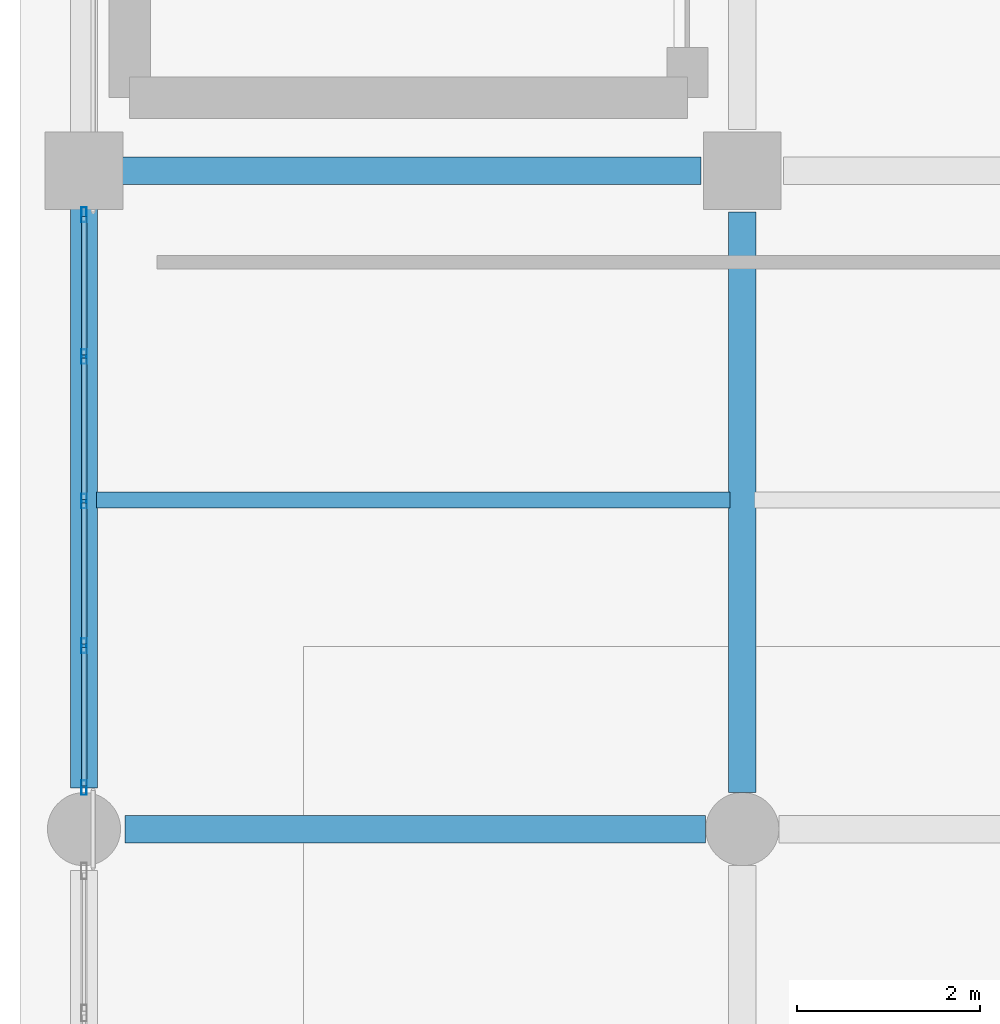
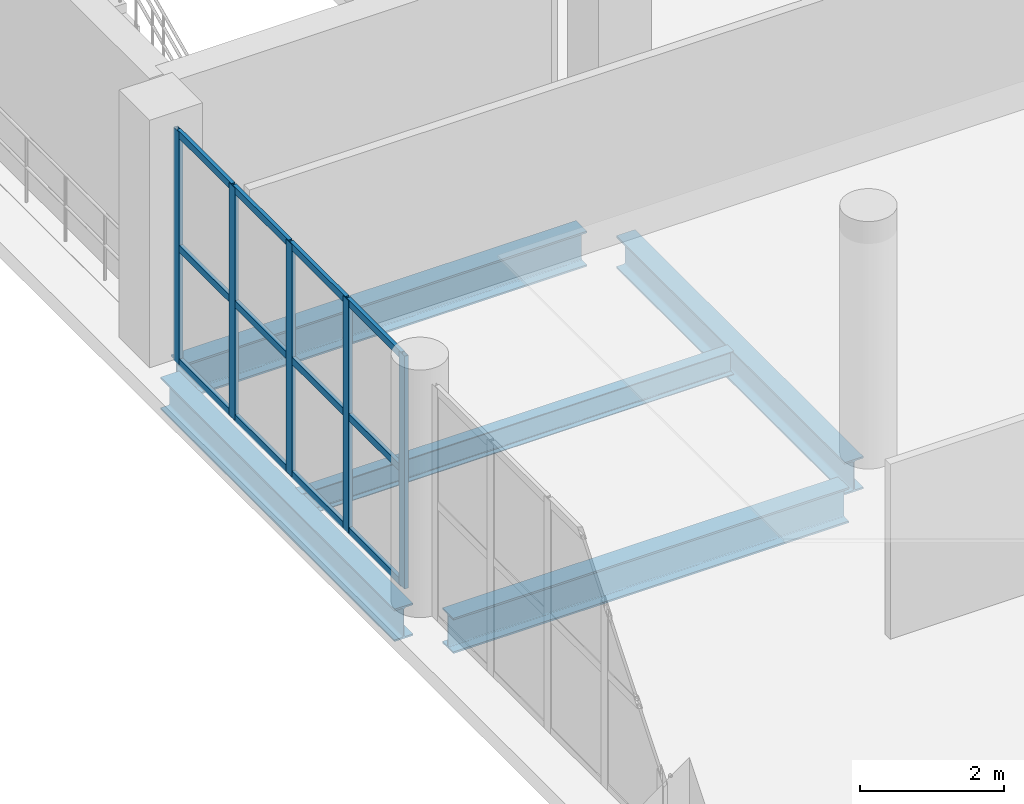
# One storey, part 43 of 153: 17 members, 5 beams, 1 element without a shape of its own.
"""IFC4 building model written with IfcOpenShell, lengths in metres."""

from ifc_helpers import new_model, si_unit, direction, frame, origin, origin_2d, place, context, subcontext, project, spatial, hollow_rectangle, i_section, extrude, material, material_profile, profile_set, type_object, element, aggregate, save


model = new_model("IFC4")

# Units and contexts
model_context = context("Model", 3, precision=1e-05, world=origin(), true_north=direction((0.0, 1.0)))
body_context = subcontext(model_context, "Body", "Model", "MODEL_VIEW")
ifc_project = project(units=[si_unit("LENGTHUNIT", "METRE"), si_unit("AREAUNIT", "SQUARE_METRE"), si_unit("VOLUMEUNIT", "CUBIC_METRE"), si_unit("PLANEANGLEUNIT", "RADIAN"), si_unit("MASSUNIT", "GRAM", prefix="KILO")], contexts=[model_context])

# Site, building, storey
site_placement = place(None, origin())
site = spatial("IfcSite", under=ifc_project, at=site_placement, CompositionType="ELEMENT")
building_placement = place(site_placement, origin())
building = spatial("IfcBuilding", under=site, at=building_placement, Name="Qandorah Velis Arena", CompositionType="ELEMENT")
storey_placement = place(building_placement, frame((0.0, 0.0, 5.39990234375)))
storey = spatial("IfcBuildingStorey", under=building, at=storey_placement, Name="L01", CompositionType="ELEMENT", Elevation=5.39990234375)

# Curtain wall, members
ifc_material_1 = material(Name="Solar-control low-E double glazing", Category="glass")
curtain_wall_type = type_object("IfcCurtainWallType", Name="ARC-CW-SYS07", PredefinedType="USERDEFINED", material=ifc_material_1)
curtain_wall_placement = place(storey_placement, origin())
curtain_wall = element("IfcCurtainWall", 1, at=curtain_wall_placement, inside=storey, type_object=curtain_wall_type, Name="Unitised curtain wall L01-007", ObjectType="UNITISED CURTAIN WALL", PredefinedType="USERDEFINED")
ifc_material_2 = material(Name="Champagne-bronze anodized aluminium 6063-T6", Category="aluminium")
ifc_material_profile_1 = material_profile(ifc_material_2, hollow_rectangle(XDim=0.06005859375, YDim=0.159912109375, WallThickness=0.00341796875, at=origin_2d()), Name="ALU MULLION 60x160")
ifc_profile_set_1 = profile_set([ifc_material_profile_1], Name="Champagne-bronze anodized aluminium 6063-T6")
member_type_1 = type_object("IfcMemberType", Name="ARC-CWM-160", PredefinedType="MULLION", material=ifc_profile_set_1)
member_1_placement = place(storey_placement, frame((0.0, 72.455078125, -0.014892578125), z_axis=(0.0, 0.0, 1.0), x_axis=(-1.0, 0.0, 0.0)))
member_1 = element("IfcMember", 2, at=member_1_placement, type_object=member_type_1, Name="CW07 mullion 1", PredefinedType="MULLION", context=body_context, shape_type="SweptSolid", body=[
    extrude(hollow_rectangle(XDim=0.06005859375, YDim=0.159912109375, WallThickness=0.00341796875, at=origin_2d()), origin(), (0.0, 0.0, 1.0), 3.949951171875),
])
member_2_placement = place(storey_placement, frame((0.0, 74.00634765625, -0.014892578125), z_axis=(0.0, 0.0, 1.0), x_axis=(-1.0, 0.0, 0.0)))
member_2 = element("IfcMember", 3, at=member_2_placement, type_object=member_type_1, Name="CW07 mullion 2", PredefinedType="MULLION", context=body_context, shape_type="SweptSolid", body=[
    extrude(hollow_rectangle(XDim=0.06005859375, YDim=0.159912109375, WallThickness=0.00341796875, at=origin_2d()), origin(), (0.0, 0.0, 1.0), 3.949951171875),
])
member_3_placement = place(storey_placement, frame((0.0, 75.58740234375, -0.014892578125), z_axis=(0.0, 0.0, 1.0), x_axis=(-1.0, 0.0, 0.0)))
member_3 = element("IfcMember", 4, at=member_3_placement, type_object=member_type_1, Name="CW07 mullion 3", PredefinedType="MULLION", context=body_context, shape_type="SweptSolid", body=[
    extrude(hollow_rectangle(XDim=0.06005859375, YDim=0.159912109375, WallThickness=0.00341796875, at=origin_2d()), origin(), (0.0, 0.0, 1.0), 3.949951171875),
])
member_4_placement = place(storey_placement, frame((0.0, 77.168701171875, -0.014892578125), z_axis=(0.0, 0.0, 1.0), x_axis=(-1.0, 0.0, 0.0)))
member_4 = element("IfcMember", 5, at=member_4_placement, type_object=member_type_1, Name="CW07 mullion 4", PredefinedType="MULLION", context=body_context, shape_type="SweptSolid", body=[
    extrude(hollow_rectangle(XDim=0.06005859375, YDim=0.159912109375, WallThickness=0.00341796875, at=origin_2d()), origin(), (0.0, 0.0, 1.0), 3.949951171875),
])
member_5_placement = place(storey_placement, frame((0.0, 78.719970703125, -0.014892578125), z_axis=(0.0, 0.0, 1.0), x_axis=(-1.0, 0.0, 0.0)))
member_5 = element("IfcMember", 6, at=member_5_placement, type_object=member_type_1, Name="CW07 mullion 5", PredefinedType="MULLION", context=body_context, shape_type="SweptSolid", body=[
    extrude(hollow_rectangle(XDim=0.06005859375, YDim=0.159912109375, WallThickness=0.00341796875, at=origin_2d()), origin(), (0.0, 0.0, 1.0), 3.949951171875),
])
ifc_material_profile_2 = material_profile(ifc_material_2, hollow_rectangle(XDim=0.06005859375, YDim=0.1201171875, WallThickness=0.0029296875, at=origin_2d()), Name="ALU TRANSOM 60x120")
ifc_profile_set_2 = profile_set([ifc_material_profile_2], Name="Champagne-bronze anodized aluminium 6063-T6")
member_type_2 = type_object("IfcMemberType", Name="ARC-CWT-120", PredefinedType="USERDEFINED", material=ifc_profile_set_2)
member_6_placement = place(storey_placement, frame((0.0, 72.472900390625, 0.030029296875), z_axis=(0.0, 1.0, 0.0), x_axis=(-1.0, 0.0, 0.0)))
member_6 = element("IfcMember", 7, at=member_6_placement, type_object=member_type_2, Name="CW07 transom 1.1", ObjectType="TRANSOM", PredefinedType="USERDEFINED", context=body_context, shape_type="SweptSolid", body=[
    extrude(hollow_rectangle(XDim=0.06005859375, YDim=0.1201171875, WallThickness=0.0029296875, at=origin_2d()), origin(), (0.0, 0.0, 1.0), 1.515380859375),
])
member_7_placement = place(storey_placement, frame((0.0, 72.472900390625, 1.960205078125), z_axis=(0.0, 1.0, 0.0), x_axis=(-1.0, 0.0, 0.0)))
member_7 = element("IfcMember", 8, at=member_7_placement, type_object=member_type_2, Name="CW07 transom 1.2", ObjectType="TRANSOM", PredefinedType="USERDEFINED", context=body_context, shape_type="SweptSolid", body=[
    extrude(hollow_rectangle(XDim=0.06005859375, YDim=0.1201171875, WallThickness=0.0029296875, at=origin_2d()), origin(), (0.0, 0.0, 1.0), 1.515380859375),
])
member_8_placement = place(storey_placement, frame((0.0, 72.472900390625, 3.89013671875), z_axis=(0.0, 1.0, 0.0), x_axis=(-1.0, 0.0, 0.0)))
member_8 = element("IfcMember", 9, at=member_8_placement, type_object=member_type_2, Name="CW07 transom 1.3", ObjectType="TRANSOM", PredefinedType="USERDEFINED", context=body_context, shape_type="SweptSolid", body=[
    extrude(hollow_rectangle(XDim=0.06005859375, YDim=0.1201171875, WallThickness=0.0029296875, at=origin_2d()), origin(), (0.0, 0.0, 1.0), 1.515380859375),
])
member_9_placement = place(storey_placement, frame((0.0, 74.024169921875, 0.030029296875), z_axis=(0.0, 1.0, 0.0), x_axis=(-1.0, 0.0, 0.0)))
member_9 = element("IfcMember", 10, at=member_9_placement, type_object=member_type_2, Name="CW07 transom 2.1", ObjectType="TRANSOM", PredefinedType="USERDEFINED", context=body_context, shape_type="SweptSolid", body=[
    extrude(hollow_rectangle(XDim=0.06005859375, YDim=0.1201171875, WallThickness=0.0029296875, at=origin_2d()), origin(), (0.0, 0.0, 1.0), 1.54541015625),
])
member_10_placement = place(storey_placement, frame((0.0, 74.024169921875, 1.960205078125), z_axis=(0.0, 1.0, 0.0), x_axis=(-1.0, 0.0, 0.0)))
member_10 = element("IfcMember", 11, at=member_10_placement, type_object=member_type_2, Name="CW07 transom 2.2", ObjectType="TRANSOM", PredefinedType="USERDEFINED", context=body_context, shape_type="SweptSolid", body=[
    extrude(hollow_rectangle(XDim=0.06005859375, YDim=0.1201171875, WallThickness=0.0029296875, at=origin_2d()), origin(), (0.0, 0.0, 1.0), 1.54541015625),
])
member_11_placement = place(storey_placement, frame((0.0, 74.024169921875, 3.89013671875), z_axis=(0.0, 1.0, 0.0), x_axis=(-1.0, 0.0, 0.0)))
member_11 = element("IfcMember", 12, at=member_11_placement, type_object=member_type_2, Name="CW07 transom 2.3", ObjectType="TRANSOM", PredefinedType="USERDEFINED", context=body_context, shape_type="SweptSolid", body=[
    extrude(hollow_rectangle(XDim=0.06005859375, YDim=0.1201171875, WallThickness=0.0029296875, at=origin_2d()), origin(), (0.0, 0.0, 1.0), 1.54541015625),
])
member_12_placement = place(storey_placement, frame((0.0, 75.60546875, 0.030029296875), z_axis=(0.0, 1.0, 0.0), x_axis=(-1.0, 0.0, 0.0)))
member_12 = element("IfcMember", 13, at=member_12_placement, type_object=member_type_2, Name="CW07 transom 3.1", ObjectType="TRANSOM", PredefinedType="USERDEFINED", context=body_context, shape_type="SweptSolid", body=[
    extrude(hollow_rectangle(XDim=0.06005859375, YDim=0.1201171875, WallThickness=0.0029296875, at=origin_2d()), origin(), (0.0, 0.0, 1.0), 1.54541015625),
])
member_13_placement = place(storey_placement, frame((0.0, 75.60546875, 1.960205078125), z_axis=(0.0, 1.0, 0.0), x_axis=(-1.0, 0.0, 0.0)))
member_13 = element("IfcMember", 14, at=member_13_placement, type_object=member_type_2, Name="CW07 transom 3.2", ObjectType="TRANSOM", PredefinedType="USERDEFINED", context=body_context, shape_type="SweptSolid", body=[
    extrude(hollow_rectangle(XDim=0.06005859375, YDim=0.1201171875, WallThickness=0.0029296875, at=origin_2d()), origin(), (0.0, 0.0, 1.0), 1.54541015625),
])
member_14_placement = place(storey_placement, frame((0.0, 75.60546875, 3.89013671875), z_axis=(0.0, 1.0, 0.0), x_axis=(-1.0, 0.0, 0.0)))
member_14 = element("IfcMember", 15, at=member_14_placement, type_object=member_type_2, Name="CW07 transom 3.3", ObjectType="TRANSOM", PredefinedType="USERDEFINED", context=body_context, shape_type="SweptSolid", body=[
    extrude(hollow_rectangle(XDim=0.06005859375, YDim=0.1201171875, WallThickness=0.0029296875, at=origin_2d()), origin(), (0.0, 0.0, 1.0), 1.54541015625),
])
member_15_placement = place(storey_placement, frame((0.0, 77.186767578125, 0.030029296875), z_axis=(0.0, 1.0, 0.0), x_axis=(-1.0, 0.0, 0.0)))
member_15 = element("IfcMember", 16, at=member_15_placement, type_object=member_type_2, Name="CW07 transom 4.1", ObjectType="TRANSOM", PredefinedType="USERDEFINED", context=body_context, shape_type="SweptSolid", body=[
    extrude(hollow_rectangle(XDim=0.06005859375, YDim=0.1201171875, WallThickness=0.0029296875, at=origin_2d()), origin(), (0.0, 0.0, 1.0), 1.51513671875),
])
member_16_placement = place(storey_placement, frame((0.0, 77.186767578125, 1.960205078125), z_axis=(0.0, 1.0, 0.0), x_axis=(-1.0, 0.0, 0.0)))
member_16 = element("IfcMember", 17, at=member_16_placement, type_object=member_type_2, Name="CW07 transom 4.2", ObjectType="TRANSOM", PredefinedType="USERDEFINED", context=body_context, shape_type="SweptSolid", body=[
    extrude(hollow_rectangle(XDim=0.06005859375, YDim=0.1201171875, WallThickness=0.0029296875, at=origin_2d()), origin(), (0.0, 0.0, 1.0), 1.51513671875),
])
member_17_placement = place(storey_placement, frame((0.0, 77.186767578125, 3.89013671875), z_axis=(0.0, 1.0, 0.0), x_axis=(-1.0, 0.0, 0.0)))
member_17 = element("IfcMember", 18, at=member_17_placement, type_object=member_type_2, Name="CW07 transom 4.3", ObjectType="TRANSOM", PredefinedType="USERDEFINED", context=body_context, shape_type="SweptSolid", body=[
    extrude(hollow_rectangle(XDim=0.06005859375, YDim=0.1201171875, WallThickness=0.0029296875, at=origin_2d()), origin(), (0.0, 0.0, 1.0), 1.51513671875),
])
aggregate(curtain_wall, [member_1, member_2, member_3, member_4, member_5, member_6, member_7, member_8, member_9, member_10, member_11, member_12, member_13, member_14, member_15, member_16, member_17])

# Beams
ifc_material_3 = material(Name="Steel S355", Category="steel")
ifc_material_profile_3 = material_profile(ifc_material_3, i_section(OverallWidth=0.300048828125, OverallDepth=0.550048828125, WebThickness=0.014892578125, FlangeThickness=0.029052734375, FilletRadius=0.027099609375, at=origin_2d()), Name="HEB 550")
ifc_profile_set_3 = profile_set([ifc_material_profile_3], Name="Steel S355")
beam_type_1 = type_object("IfcBeamType", Name="STR-BM-HEB550", PredefinedType="BEAM", material=ifc_profile_set_3)
beam_1_placement = place(storey_placement, frame((0.0, 72.449951171875, -0.635009765625), z_axis=(0.0, 1.0, 0.0), x_axis=(-1.0, 0.0, 0.0)))
element("IfcBeam", 19, at=beam_1_placement, inside=storey, type_object=beam_type_1, Name="Primary floor girder L01 Y-230", PredefinedType="BEAM", context=body_context, shape_type="SweptSolid", body=[
    extrude(i_section(OverallWidth=0.300048828125, OverallDepth=0.550048828125, WebThickness=0.014892578125, FlangeThickness=0.029052734375, FilletRadius=0.027099609375, at=origin_2d()), origin(), (0.0, 0.0, 1.0), 6.5),
])
beam_2_placement = place(storey_placement, frame((7.199951171875, 72.39990234375, -0.635009765625), z_axis=(0.0, 1.0, 0.0), x_axis=(-1.0, 0.0, 0.0)))
element("IfcBeam", 20, at=beam_2_placement, inside=storey, type_object=beam_type_1, Name="Primary floor girder L01 Y-248", PredefinedType="BEAM", context=body_context, shape_type="SweptSolid", body=[
    extrude(i_section(OverallWidth=0.300048828125, OverallDepth=0.550048828125, WebThickness=0.014892578125, FlangeThickness=0.029052734375, FilletRadius=0.027099609375, at=origin_2d()), origin(), (0.0, 0.0, 1.0), 6.35009765625),
])
ifc_material_profile_4 = material_profile(ifc_material_3, i_section(OverallWidth=0.300048828125, OverallDepth=0.60009765625, WebThickness=0.015380859375, FlangeThickness=0.030029296875, FilletRadius=0.027099609375, at=origin_2d()), Name="HEB 600")
ifc_profile_set_4 = profile_set([ifc_material_profile_4], Name="Steel S355")
beam_type_2 = type_object("IfcBeamType", Name="STR-BM-HEB600", PredefinedType="BEAM", material=ifc_profile_set_4)
beam_3_placement = place(storey_placement, frame((0.449951171875, 72.0, -0.659912109375), z_axis=(1.0, 0.0, 0.0), x_axis=(0.0, 1.0, 0.0)))
element("IfcBeam", 21, at=beam_3_placement, inside=storey, type_object=beam_type_2, Name="Primary floor girder L01 X-116", PredefinedType="BEAM", context=body_context, shape_type="SweptSolid", body=[
    extrude(i_section(OverallWidth=0.300048828125, OverallDepth=0.60009765625, WebThickness=0.015380859375, FlangeThickness=0.030029296875, FilletRadius=0.027099609375, at=origin_2d()), origin(), (0.0, 0.0, 1.0), 6.35009765625),
])
beam_4_placement = place(storey_placement, frame((0.25, 79.199951171875, -0.659912109375), z_axis=(1.0, 0.0, 0.0), x_axis=(0.0, 1.0, 0.0)))
element("IfcBeam", 22, at=beam_4_placement, inside=storey, type_object=beam_type_2, Name="Primary floor girder L01 X-123", PredefinedType="BEAM", context=body_context, shape_type="SweptSolid", body=[
    extrude(i_section(OverallWidth=0.300048828125, OverallDepth=0.60009765625, WebThickness=0.015380859375, FlangeThickness=0.030029296875, FilletRadius=0.027099609375, at=origin_2d()), origin(), (0.0, 0.0, 1.0), 6.5),
])
ifc_material_profile_5 = material_profile(ifc_material_3, i_section(OverallWidth=0.179931640625, OverallDepth=0.39990234375, WebThickness=0.008544921875, FlangeThickness=0.013427734375, FilletRadius=0.02099609375, at=origin_2d()), Name="IPE 400")
ifc_profile_set_5 = profile_set([ifc_material_profile_5], Name="Steel S355")
beam_type_3 = type_object("IfcBeamType", Name="STR-JST-IPE400", PredefinedType="JOIST", material=ifc_profile_set_5)
beam_5_placement = place(storey_placement, frame((0.135009765625, 75.60009765625, -0.559814453125), z_axis=(1.0, 0.0, 0.0), x_axis=(0.0, 1.0, 0.0)))
element("IfcBeam", 23, at=beam_5_placement, inside=storey, type_object=beam_type_3, Name="Secondary floor joist L01-009", PredefinedType="JOIST", context=body_context, shape_type="SweptSolid", body=[
    extrude(i_section(OverallWidth=0.179931640625, OverallDepth=0.39990234375, WebThickness=0.008544921875, FlangeThickness=0.013427734375, FilletRadius=0.02099609375, at=origin_2d()), origin(), (0.0, 0.0, 1.0), 6.929931640625),
])

save(model, "model.ifc")
